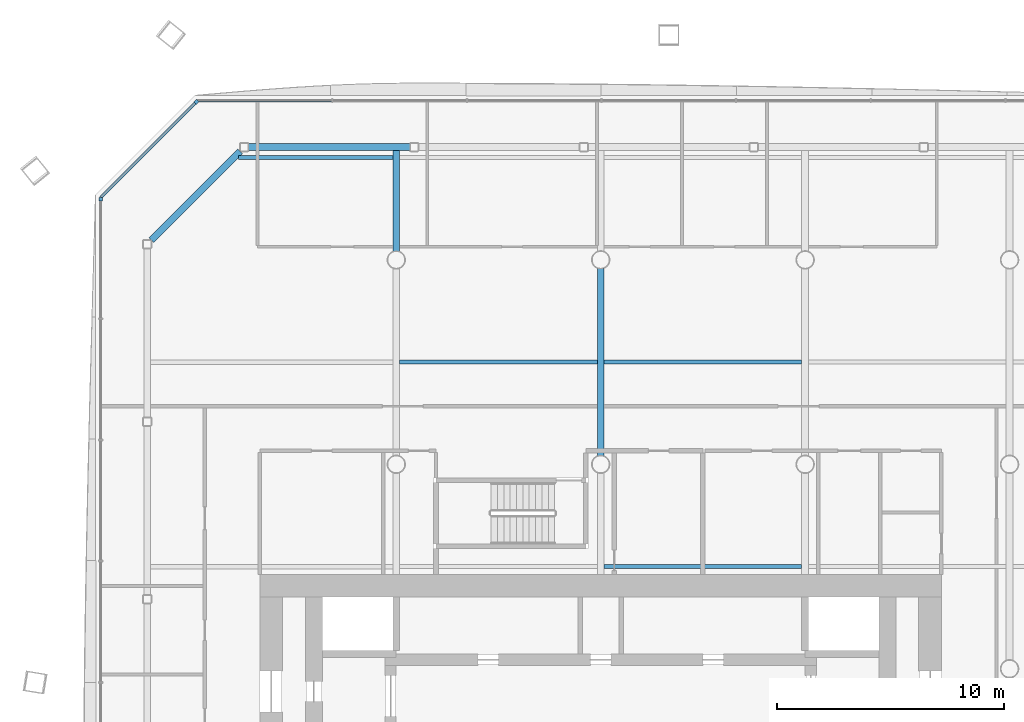
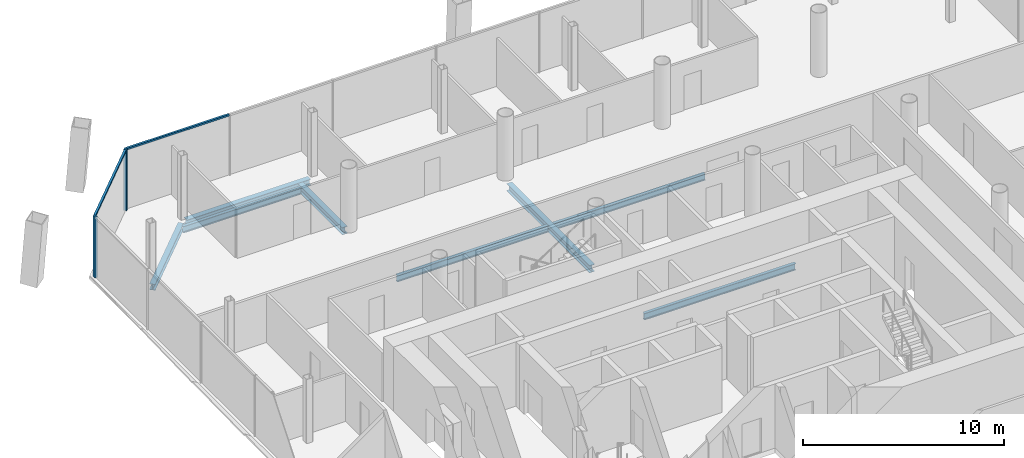
# One storey, part 7 of 19: 8 beams, 4 members, 3 elements without a shape of their own.
"""IFC4 building model written with IfcOpenShell, lengths in metres."""

from ifc_helpers import new_model, si_unit, direction, frame, origin, origin_2d, place, context, subcontext, project, spatial, rectangle, i_section, extrude, material, material_profile, profile_set, type_object, element, aggregate, save


model = new_model("IFC4")

# Units and contexts
model_context = context("Model", 3, precision=1e-05, world=origin(), true_north=direction((0.0, 1.0)))
body_context = subcontext(model_context, "Body", "Model", "MODEL_VIEW")
ifc_project = project(units=[si_unit("LENGTHUNIT", "METRE"), si_unit("AREAUNIT", "SQUARE_METRE"), si_unit("VOLUMEUNIT", "CUBIC_METRE"), si_unit("PLANEANGLEUNIT", "RADIAN"), si_unit("MASSUNIT", "GRAM", prefix="KILO")], contexts=[model_context])

# Site, building, storey
site_placement = place(None, origin())
site = spatial("IfcSite", under=ifc_project, at=site_placement, CompositionType="ELEMENT")
building_placement = place(site_placement, origin())
building = spatial("IfcBuilding", under=site, at=building_placement, Name="Tskaro Facet Tower", CompositionType="ELEMENT")
storey_placement = place(building_placement, frame((0.0, 0.0, 77.699951171875)))
storey = spatial("IfcBuildingStorey", under=building, at=storey_placement, Name="L18", CompositionType="ELEMENT", Elevation=77.699951171875)

# Curtain wall, member
ifc_material_1 = material(Name="Bronze anodised aluminium 6063-T6", Category="aluminium")
curtain_wall_type = type_object("IfcCurtainWallType", Name="Bronze office curtain wall (FW1)", PredefinedType="NOTDEFINED", material=ifc_material_1)
curtain_wall_1_placement = place(storey_placement, origin())
curtain_wall_1 = element("IfcCurtainWall", 1, at=curtain_wall_1_placement, inside=storey, type_object=curtain_wall_type, Name="FW1 north-west facet L18", PredefinedType="NOTDEFINED")
ifc_material_profile_1 = material_profile(ifc_material_1, rectangle(XDim=0.159912109375, YDim=0.159912109375, at=origin_2d()), Name="Corner post 160x160")
ifc_profile_set_1 = profile_set([ifc_material_profile_1], Name="Bronze anodised aluminium 6063-T6")
member_type_1 = type_object("IfcMemberType", Name="FW1 bronze corner post 160x160", PredefinedType="MULLION", material=ifc_profile_set_1)
member_1_placement = place(storey_placement, frame((-17.800537109375, 24.954345703125, 0.0), z_axis=(0.0, 0.0, 1.0), x_axis=(-0.707106781187, -0.707106781187, 0.0)))
member_1 = element("IfcMember", 2, at=member_1_placement, type_object=member_type_1, Name="FW1 north-west corner post", PredefinedType="MULLION", context=body_context, shape_type="SweptSolid", body=[
    extrude(rectangle(XDim=0.159912109375, YDim=0.159912109375, at=origin_2d()), origin(), (0.0, 0.0, 1.0), 3.699951171875),
])

curtain_wall_2_placement = place(storey_placement, origin())
curtain_wall_2 = element("IfcCurtainWall", 3, at=curtain_wall_2_placement, inside=storey, type_object=curtain_wall_type, Name="FW1 west facet L18", PredefinedType="NOTDEFINED")
member_2_placement = place(storey_placement, frame((-22.010986328125, 20.6640625, 0.0), z_axis=(0.0, 0.0, 1.0), x_axis=(0.0, -1.0, 0.0)))
member_2 = element("IfcMember", 4, at=member_2_placement, type_object=member_type_1, Name="FW1 west corner post", PredefinedType="MULLION", context=body_context, shape_type="SweptSolid", body=[
    extrude(rectangle(XDim=0.159912109375, YDim=0.159912109375, at=origin_2d()), origin(), (0.0, 0.0, 1.0), 3.699951171875),
])
aggregate(curtain_wall_2, [member_2])

curtain_wall_3_placement = place(storey_placement, origin())
curtain_wall_3 = element("IfcCurtainWall", 5, at=curtain_wall_3_placement, inside=storey, type_object=curtain_wall_type, Name="FW1 north facet L18", PredefinedType="NOTDEFINED")
ifc_material_profile_2 = material_profile(ifc_material_1, rectangle(XDim=0.1201171875, YDim=0.10009765625, at=origin_2d()), Name="Transom 120x100")
ifc_profile_set_2 = profile_set([ifc_material_profile_2], Name="Bronze anodised aluminium 6063-T6")
member_type_2 = type_object("IfcMemberType", Name="FW1 bronze transom 120x100", PredefinedType="USERDEFINED", material=ifc_profile_set_2)
member_3_placement = place(storey_placement, frame((-11.84716796875, 25.010986328125, 3.650146484375), z_axis=(-1.0, 0.0, 0.0), x_axis=(0.0, -1.0, 0.0)))
member_3 = element("IfcMember", 6, at=member_3_placement, type_object=member_type_2, Name="FW1 north transom 7.1", ObjectType="TRANSOM", PredefinedType="USERDEFINED", context=body_context, shape_type="SweptSolid", body=[
    extrude(rectangle(XDim=0.1201171875, YDim=0.10009765625, at=origin_2d()), origin(), (0.0, 0.0, 1.0), 5.896728515625),
])
aggregate(curtain_wall_3, [member_3])

# Member
member_4_placement = place(storey_placement, frame((-17.857177734375, 24.89794921875, 3.650146484375), z_axis=(-0.707086001347, -0.707127560416, 0.0), x_axis=(0.707127560416, -0.707086001347, 0.0)))
member_4 = element("IfcMember", 7, at=member_4_placement, type_object=member_type_2, Name="FW1 north-west transom 1.1", ObjectType="TRANSOM", PredefinedType="USERDEFINED", context=body_context, shape_type="SweptSolid", body=[
    extrude(rectangle(XDim=0.1201171875, YDim=0.10009765625, at=origin_2d()), origin(), (0.0, 0.0, 1.0), 5.87451171875),
])

aggregate(curtain_wall_1, [member_1, member_4])

# Beams
ifc_material_2 = material(Name="Steel S355J2", Category="steel")
ifc_material_profile_3 = material_profile(ifc_material_2, i_section(OverallWidth=0.300048828125, OverallDepth=0.360107421875, WebThickness=0.012451171875, FlangeThickness=0.0224609375, FilletRadius=0.027099609375, at=origin_2d()), Name="HE 360 B")
ifc_profile_set_3 = profile_set([ifc_material_profile_3], Name="Steel S355J2")
beam_type_1 = type_object("IfcBeamType", Name="HE 360 B ring beam", PredefinedType="BEAM", material=ifc_profile_set_3)
beam_1_placement = place(storey_placement, frame((-8.39404296875, 22.965087890625, -0.320068359375), z_axis=(-1.0, 0.0, 0.0), x_axis=(0.0, -1.0, 0.0)))
element("IfcBeam", 8, at=beam_1_placement, inside=storey, type_object=beam_type_1, Name="HE 360 B EB17-2", PredefinedType="BEAM", context=body_context, shape_type="SweptSolid", body=[
    extrude(i_section(OverallWidth=0.300048828125, OverallDepth=0.360107421875, WebThickness=0.012451171875, FlangeThickness=0.0224609375, FilletRadius=0.027099609375, at=origin_2d()), origin(), (0.0, 0.0, 1.0), 7.115966796875),
])
beam_2_placement = place(storey_placement, frame((-15.8759765625, 22.779052734375, -0.320068359375), z_axis=(-0.707106781187, -0.707106781187, 0.0), x_axis=(0.707106781187, -0.707106781187, 0.0)))
element("IfcBeam", 9, at=beam_2_placement, inside=storey, type_object=beam_type_1, Name="HE 360 B EB18-2", PredefinedType="BEAM", context=body_context, shape_type="SweptSolid", body=[
    extrude(i_section(OverallWidth=0.300048828125, OverallDepth=0.360107421875, WebThickness=0.012451171875, FlangeThickness=0.0224609375, FilletRadius=0.027099609375, at=origin_2d()), origin(), (0.0, 0.0, 1.0), 5.519775390625),
])
ifc_material_profile_4 = material_profile(ifc_material_2, i_section(OverallWidth=0.300048828125, OverallDepth=0.43994140625, WebThickness=0.011474609375, FlangeThickness=0.02099609375, FilletRadius=0.027099609375, at=origin_2d()), Name="HE 450 A")
ifc_profile_set_4 = profile_set([ifc_material_profile_4], Name="Steel S355J2")
beam_type_2 = type_object("IfcBeamType", Name="HE 450 A girder", PredefinedType="BEAM", material=ifc_profile_set_4)
beam_3_placement = place(storey_placement, frame((-9.0, 18.37646484375, -0.35986328125), z_axis=(0.0, 1.0, 0.0), x_axis=(-1.0, 0.0, 0.0)))
element("IfcBeam", 10, at=beam_3_placement, inside=storey, type_object=beam_type_2, Name="HE 450 A GB3-5-2", PredefinedType="BEAM", context=body_context, shape_type="SweptSolid", body=[
    extrude(i_section(OverallWidth=0.300048828125, OverallDepth=0.43994140625, WebThickness=0.011474609375, FlangeThickness=0.02099609375, FilletRadius=0.027099609375, at=origin_2d()), origin(), (0.0, 0.0, 1.0), 4.4384765625),
])
beam_4_placement = place(storey_placement, frame((0.0, 9.37646484375, -0.35986328125), z_axis=(0.0, 1.0, 0.0), x_axis=(-1.0, 0.0, 0.0)))
element("IfcBeam", 11, at=beam_4_placement, inside=storey, type_object=beam_type_2, Name="HE 450 A GB4-4-2", PredefinedType="BEAM", context=body_context, shape_type="SweptSolid", body=[
    extrude(i_section(OverallWidth=0.300048828125, OverallDepth=0.43994140625, WebThickness=0.011474609375, FlangeThickness=0.02099609375, FilletRadius=0.027099609375, at=origin_2d()), origin(), (0.0, 0.0, 1.0), 8.2470703125),
])
ifc_material_profile_5 = material_profile(ifc_material_2, i_section(OverallWidth=0.179931640625, OverallDepth=0.39990234375, WebThickness=0.008544921875, FlangeThickness=0.013427734375, FilletRadius=0.02099609375, at=origin_2d()), Name="IPE 400")
ifc_profile_set_5 = profile_set([ifc_material_profile_5], Name="Steel S355J2")
beam_type_3 = type_object("IfcBeamType", Name="IPE 400 secondary beam", PredefinedType="BEAM", material=ifc_profile_set_5)
for number, where, z_axis, x_axis, name in (
    (12, (0.14990234375, 4.5, -0.33984375), (1.0, 0.0, 0.0), (0.0, 1.0, 0.0), "IPE 400 SB4a-3-2"),
    (13, (-8.85009765625, 13.5, -0.33984375), (1.0, 0.0, 0.0), (0.0, 1.0, 0.0), "IPE 400 SB5a-2-2"),
    (14, (0.14990234375, 13.5, -0.33984375), (1.0, 0.0, 0.0), (0.0, 1.0, 0.0), "IPE 400 SB5a-3-2"),
):
    element("IfcBeam", number, at=place(storey_placement, frame(where, z_axis=z_axis, x_axis=x_axis)), inside=storey, type_object=beam_type_3, Name=name, PredefinedType="BEAM", context=body_context, shape_type="SweptSolid", body=[
        extrude(i_section(OverallWidth=0.179931640625, OverallDepth=0.39990234375, WebThickness=0.008544921875, FlangeThickness=0.013427734375, FilletRadius=0.02099609375, at=origin_2d()), origin(), (0.0, 0.0, 1.0), 8.7001953125),
    ])
beam_5_placement = place(storey_placement, frame((-15.943115234375, 22.5, -0.33984375), z_axis=(1.0, 0.0, 0.0), x_axis=(0.0, 1.0, 0.0)))
element("IfcBeam", 15, at=beam_5_placement, inside=storey, type_object=beam_type_3, Name="IPE 400 SB6a-1-2", PredefinedType="BEAM", context=body_context, shape_type="SweptSolid", body=[
    extrude(i_section(OverallWidth=0.179931640625, OverallDepth=0.39990234375, WebThickness=0.008544921875, FlangeThickness=0.013427734375, FilletRadius=0.02099609375, at=origin_2d()), origin(), (0.0, 0.0, 1.0), 6.793212890625),
])

save(model, "model.ifc")
